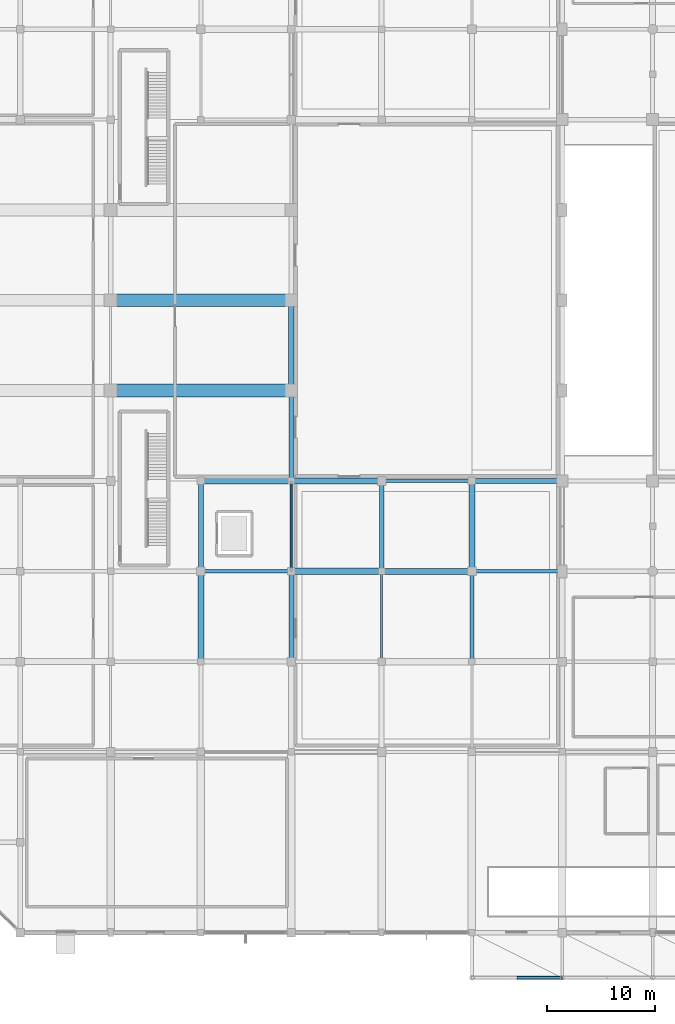
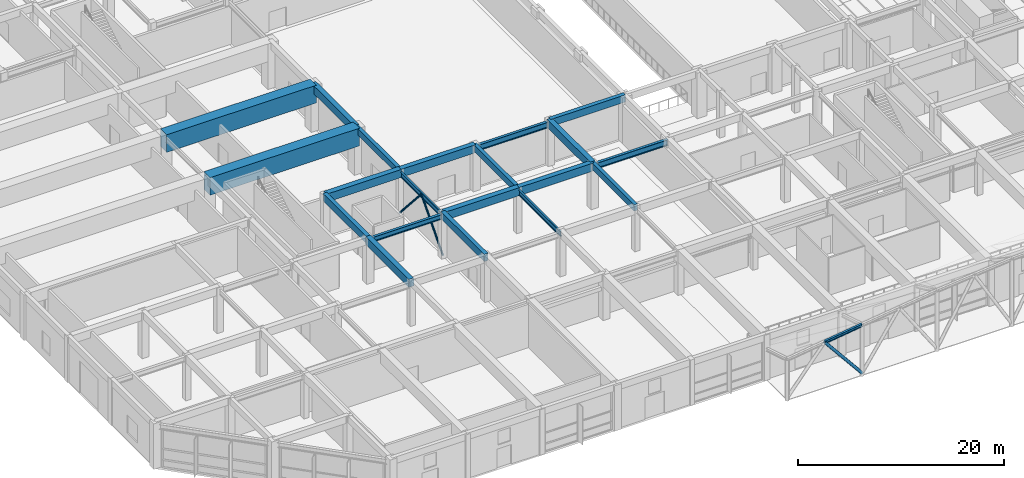
# One storey, part 14 of 62: 20 beams, 4 members.
"""IFC4 building model written with IfcOpenShell, lengths in metres."""

from ifc_helpers import new_model, si_unit, direction, frame, origin, origin_2d, place, context, subcontext, project, spatial, rectangle, hollow_circle, i_section, extrude, material, material_profile, profile_set, type_object, element, save


model = new_model("IFC4")

# Units and contexts
model_context = context("Model", 3, precision=1e-05, world=origin(), true_north=direction((0.0, 1.0)))
body_context = subcontext(model_context, "Body", "Model", "MODEL_VIEW")
ifc_project = project(units=[si_unit("LENGTHUNIT", "METRE"), si_unit("AREAUNIT", "SQUARE_METRE"), si_unit("VOLUMEUNIT", "CUBIC_METRE"), si_unit("PLANEANGLEUNIT", "RADIAN"), si_unit("MASSUNIT", "GRAM", prefix="KILO")], contexts=[model_context])

# Site, building, storey
site_placement = place(None, origin())
site = spatial("IfcSite", under=ifc_project, at=site_placement, CompositionType="ELEMENT")
building_placement = place(site_placement, origin())
building = spatial("IfcBuilding", under=site, at=building_placement, Name="Xuanlan Plaza Opera House", CompositionType="ELEMENT")
storey_placement = place(building_placement, origin())
storey = spatial("IfcBuildingStorey", under=building, at=storey_placement, Name="L00", CompositionType="ELEMENT", Elevation=0.0)

# Beams
ifc_material_1 = material(Name="Concrete C50", Category="concrete")
ifc_material_profile_1 = material_profile(ifc_material_1, rectangle(XDim=0.60009765625, YDim=0.949951171875, at=origin_2d()), Name="RC-BM 600x950")
ifc_profile_set_1 = profile_set([ifc_material_profile_1], Name="Concrete C50")
beam_type_1 = type_object("IfcBeamType", Name="STR-BM-B-01", PredefinedType="BEAM", material=ifc_profile_set_1)
for number, where, z_axis, x_axis, name in (
    (1, (42.0, 33.60009765625, 4.925048828125), (1.0, 0.0, 0.0), (0.0, 1.0, 0.0), "Grid Beam X L00 6-7/E"),
    (2, (33.60009765625, 42.0, 4.925048828125), (1.0, 0.0, 0.0), (0.0, 1.0, 0.0), "Grid Beam X L00 5-6/F"),
):
    element("IfcBeam", number, at=place(storey_placement, frame(where, z_axis=z_axis, x_axis=x_axis)), inside=storey, type_object=beam_type_1, Name=name, PredefinedType="BEAM", context=body_context, shape_type="SweptSolid", body=[
        extrude(rectangle(XDim=0.60009765625, YDim=0.949951171875, at=origin_2d()), origin(), (0.0, 0.0, 1.0), 8.39990234375),
    ])
ifc_material_profile_2 = material_profile(ifc_material_1, rectangle(XDim=0.550048828125, YDim=0.949951171875, at=origin_2d()), Name="RC-BM 550x950")
ifc_profile_set_2 = profile_set([ifc_material_profile_2], Name="Concrete C50")
beam_type_2 = type_object("IfcBeamType", Name="STR-BM-B-02", PredefinedType="BEAM", material=ifc_profile_set_2)
beam_1_placement = place(storey_placement, frame((50.39990234375, 33.60009765625, 4.925048828125), z_axis=(1.0, 0.0, 0.0), x_axis=(0.0, 1.0, 0.0)))
element("IfcBeam", 3, at=beam_1_placement, inside=storey, type_object=beam_type_2, Name="Grid Beam X L00 7-8/E", PredefinedType="BEAM", context=body_context, shape_type="SweptSolid", body=[
    extrude(rectangle(XDim=0.550048828125, YDim=0.949951171875, at=origin_2d()), origin(), (0.0, 0.0, 1.0), 8.400146484375),
])
beam_2_placement = place(storey_placement, frame((42.0, 42.0, 4.925048828125), z_axis=(1.0, 0.0, 0.0), x_axis=(0.0, 1.0, 0.0)))
element("IfcBeam", 4, at=beam_2_placement, inside=storey, type_object=beam_type_2, Name="Grid Beam X L00 6-7/F", PredefinedType="BEAM", context=body_context, shape_type="SweptSolid", body=[
    extrude(rectangle(XDim=0.550048828125, YDim=0.949951171875, at=origin_2d()), origin(), (0.0, 0.0, 1.0), 8.39990234375),
])
for number, where, z_axis, x_axis, name in (
    (5, (33.60009765625, 25.199951171875, 4.925048828125), (0.0, 1.0, 0.0), (-1.0, 0.0, 0.0), "Grid Beam Y L00 5/D-E"),
    (6, (42.0, 50.39990234375, 4.925048828125), (0.0, 1.0, 0.0), (-1.0, 0.0, 0.0), "Grid Beam Y L00 6/G-H"),
):
    element("IfcBeam", number, at=place(storey_placement, frame(where, z_axis=z_axis, x_axis=x_axis)), inside=storey, type_object=beam_type_2, Name=name, PredefinedType="BEAM", context=body_context, shape_type="SweptSolid", body=[
        extrude(rectangle(XDim=0.550048828125, YDim=0.949951171875, at=origin_2d()), origin(), (0.0, 0.0, 1.0), 8.400146484375),
    ])
beam_3_placement = place(storey_placement, frame((58.800048828125, 33.60009765625, 4.925048828125), z_axis=(0.0, 1.0, 0.0), x_axis=(-1.0, 0.0, 0.0)))
element("IfcBeam", 7, at=beam_3_placement, inside=storey, type_object=beam_type_2, Name="Grid Beam Y L00 8/E-F", PredefinedType="BEAM", context=body_context, shape_type="SweptSolid", body=[
    extrude(rectangle(XDim=0.550048828125, YDim=0.949951171875, at=origin_2d()), origin(), (0.0, 0.0, 1.0), 8.39990234375),
])
ifc_material_2 = material(Name="Concrete C40", Category="concrete")
ifc_material_profile_3 = material_profile(ifc_material_2, rectangle(XDim=0.449951171875, YDim=0.85009765625, at=origin_2d()), Name="RC-BM 450x850")
ifc_profile_set_3 = profile_set([ifc_material_profile_3], Name="Concrete C40")
beam_type_3 = type_object("IfcBeamType", Name="STR-BM-B-04", PredefinedType="BEAM", material=ifc_profile_set_3)
for number, where, z_axis, x_axis, name in (
    (8, (58.800048828125, 42.0, 4.97509765625), (1.0, 0.0, 0.0), (0.0, 1.0, 0.0), "Grid Beam X L00 8-9/F"),
    (9, (33.60009765625, 33.60009765625, 4.97509765625), (0.0, 1.0, 0.0), (-1.0, 0.0, 0.0), "Grid Beam Y L00 5/E-F"),
):
    element("IfcBeam", number, at=place(storey_placement, frame(where, z_axis=z_axis, x_axis=x_axis)), inside=storey, type_object=beam_type_3, Name=name, PredefinedType="BEAM", context=body_context, shape_type="SweptSolid", body=[
        extrude(rectangle(XDim=0.449951171875, YDim=0.85009765625, at=origin_2d()), origin(), (0.0, 0.0, 1.0), 8.39990234375),
    ])
beam_4_placement = place(storey_placement, frame((42.0, 25.199951171875, 4.97509765625), z_axis=(0.0, 1.0, 0.0), x_axis=(-1.0, 0.0, 0.0)))
element("IfcBeam", 10, at=beam_4_placement, inside=storey, type_object=beam_type_3, Name="Grid Beam Y L00 6/D-E", PredefinedType="BEAM", context=body_context, shape_type="SweptSolid", body=[
    extrude(rectangle(XDim=0.449951171875, YDim=0.85009765625, at=origin_2d()), origin(), (0.0, 0.0, 1.0), 8.400146484375),
])
ifc_material_profile_4 = material_profile(ifc_material_2, rectangle(XDim=0.39990234375, YDim=0.75, at=origin_2d()), Name="RC-BM 400x750")
ifc_profile_set_4 = profile_set([ifc_material_profile_4], Name="Concrete C40")
beam_type_4 = type_object("IfcBeamType", Name="STR-BM-B-06", PredefinedType="BEAM", material=ifc_profile_set_4)
for number, where, z_axis, x_axis, name in (
    (11, (42.0, 42.0, 5.02490234375), (0.0, 1.0, 0.0), (-1.0, 0.0, 0.0), "Grid Beam Y L00 6/F-G"),
    (12, (50.39990234375, 33.60009765625, 5.02490234375), (0.0, 1.0, 0.0), (-1.0, 0.0, 0.0), "Grid Beam Y L00 7/E-F"),
):
    element("IfcBeam", number, at=place(storey_placement, frame(where, z_axis=z_axis, x_axis=x_axis)), inside=storey, type_object=beam_type_4, Name=name, PredefinedType="BEAM", context=body_context, shape_type="SweptSolid", body=[
        extrude(rectangle(XDim=0.39990234375, YDim=0.75, at=origin_2d()), origin(), (0.0, 0.0, 1.0), 8.39990234375),
    ])
beam_5_placement = place(storey_placement, frame((58.800048828125, 25.199951171875, 5.02490234375), z_axis=(0.0, 1.0, 0.0), x_axis=(-1.0, 0.0, 0.0)))
element("IfcBeam", 13, at=beam_5_placement, inside=storey, type_object=beam_type_4, Name="Grid Beam Y L00 8/D-E", PredefinedType="BEAM", context=body_context, shape_type="SweptSolid", body=[
    extrude(rectangle(XDim=0.39990234375, YDim=0.75, at=origin_2d()), origin(), (0.0, 0.0, 1.0), 8.400146484375),
])
ifc_material_3 = material(Name="Steel Q355B", Category="steel")
ifc_material_profile_5 = material_profile(ifc_material_3, i_section(OverallWidth=0.300048828125, OverallDepth=0.699951171875, WebThickness=0.012939453125, FlangeThickness=0.02392578125, FilletRadius=0.02392578125, at=origin_2d()), Name="HN 700x300x13x24")
ifc_profile_set_5 = profile_set([ifc_material_profile_5], Name="Steel Q355B")
beam_type_5 = type_object("IfcBeamType", Name="STR-BM-SB-03", PredefinedType="BEAM", material=ifc_profile_set_5)
beam_6_placement = place(storey_placement, frame((58.800048828125, 33.60009765625, 4.784912109375), z_axis=(1.0, 0.0, 0.0), x_axis=(0.0, 1.0, 0.0)))
element("IfcBeam", 14, at=beam_6_placement, inside=storey, type_object=beam_type_5, Name="Grid Beam X L00 8-9/E", PredefinedType="BEAM", context=body_context, shape_type="SweptSolid", body=[
    extrude(i_section(OverallWidth=0.300048828125, OverallDepth=0.699951171875, WebThickness=0.012939453125, FlangeThickness=0.02392578125, FilletRadius=0.02392578125, at=origin_2d()), origin(), (0.0, 0.0, 1.0), 8.39990234375),
])
beam_7_placement = place(storey_placement, frame((50.39990234375, 42.0, 4.784912109375), z_axis=(1.0, 0.0, 0.0), x_axis=(0.0, 1.0, 0.0)))
element("IfcBeam", 15, at=beam_7_placement, inside=storey, type_object=beam_type_5, Name="Grid Beam X L00 7-8/F", PredefinedType="BEAM", context=body_context, shape_type="SweptSolid", body=[
    extrude(i_section(OverallWidth=0.300048828125, OverallDepth=0.699951171875, WebThickness=0.012939453125, FlangeThickness=0.02392578125, FilletRadius=0.02392578125, at=origin_2d()), origin(), (0.0, 0.0, 1.0), 8.400146484375),
])
ifc_material_profile_6 = material_profile(ifc_material_3, i_section(OverallWidth=0.199951171875, OverallDepth=0.60009765625, WebThickness=0.010986328125, FlangeThickness=0.01708984375, FilletRadius=0.02197265625, at=origin_2d()), Name="HN 600x200x11x17")
ifc_profile_set_6 = profile_set([ifc_material_profile_6], Name="Steel Q355B")
beam_type_6 = type_object("IfcBeamType", Name="STR-BM-SB-04", PredefinedType="BEAM", material=ifc_profile_set_6)
beam_8_placement = place(storey_placement, frame((42.0, 33.60009765625, 4.8349609375), z_axis=(0.0, 1.0, 0.0), x_axis=(-1.0, 0.0, 0.0)))
element("IfcBeam", 16, at=beam_8_placement, inside=storey, type_object=beam_type_6, Name="Grid Beam Y L00 6/E-F", PredefinedType="BEAM", context=body_context, shape_type="SweptSolid", body=[
    extrude(i_section(OverallWidth=0.199951171875, OverallDepth=0.60009765625, WebThickness=0.010986328125, FlangeThickness=0.01708984375, FilletRadius=0.02197265625, at=origin_2d()), origin(), (0.0, 0.0, 1.0), 8.39990234375),
])
beam_9_placement = place(storey_placement, frame((50.39990234375, 25.199951171875, 4.8349609375), z_axis=(0.0, 1.0, 0.0), x_axis=(-1.0, 0.0, 0.0)))
element("IfcBeam", 17, at=beam_9_placement, inside=storey, type_object=beam_type_6, Name="Grid Beam Y L00 7/D-E", PredefinedType="BEAM", context=body_context, shape_type="SweptSolid", body=[
    extrude(i_section(OverallWidth=0.199951171875, OverallDepth=0.60009765625, WebThickness=0.010986328125, FlangeThickness=0.01708984375, FilletRadius=0.02197265625, at=origin_2d()), origin(), (0.0, 0.0, 1.0), 8.400146484375),
])
ifc_material_profile_7 = material_profile(ifc_material_3, i_section(OverallWidth=0.300048828125, OverallDepth=0.587890625, WebThickness=0.011962890625, FlangeThickness=0.02001953125, FilletRadius=0.02392578125, at=origin_2d()), Name="HM 588x300x12x20")
ifc_profile_set_7 = profile_set([ifc_material_profile_7], Name="Steel Q355B")
beam_type_7 = type_object("IfcBeamType", Name="STR-BM-SB-06", PredefinedType="BEAM", material=ifc_profile_set_7)
beam_10_placement = place(storey_placement, frame((33.60009765625, 33.60009765625, 4.841064453125), z_axis=(1.0, 0.0, 0.0), x_axis=(0.0, 1.0, 0.0)))
element("IfcBeam", 18, at=beam_10_placement, inside=storey, type_object=beam_type_7, Name="Grid Beam X L00 5-6/E", PredefinedType="BEAM", context=body_context, shape_type="SweptSolid", body=[
    extrude(i_section(OverallWidth=0.300048828125, OverallDepth=0.587890625, WebThickness=0.011962890625, FlangeThickness=0.02001953125, FilletRadius=0.02392578125, at=origin_2d()), origin(), (0.0, 0.0, 1.0), 8.39990234375),
])
ifc_material_4 = material(Name="Concrete C60", Category="concrete")
ifc_material_profile_8 = material_profile(ifc_material_4, rectangle(XDim=1.199951171875, YDim=2.10009765625, at=origin_2d()), Name="RC-TG 1200x2100")
ifc_profile_set_8 = profile_set([ifc_material_profile_8], Name="Concrete C60")
beam_type_8 = type_object("IfcBeamType", Name="STR-BM-TG-03", PredefinedType="BEAM", material=ifc_profile_set_8)
for number, where, z_axis, x_axis, name in (
    (19, (25.199951171875, 50.39990234375, 4.35009765625), (1.0, 0.0, 0.0), (0.0, 1.0, 0.0), "Grid Beam X L00 4-6/G"),
    (20, (25.199951171875, 58.800048828125, 4.35009765625), (1.0, 0.0, 0.0), (0.0, 1.0, 0.0), "Grid Beam X L00 4-6/H"),
):
    element("IfcBeam", number, at=place(storey_placement, frame(where, z_axis=z_axis, x_axis=x_axis)), inside=storey, type_object=beam_type_8, Name=name, PredefinedType="BEAM", context=body_context, shape_type="SweptSolid", body=[
        extrude(rectangle(XDim=1.199951171875, YDim=2.10009765625, at=origin_2d()), origin(), (0.0, 0.0, 1.0), 16.800048828125),
    ])

# Members
ifc_material_profile_9 = material_profile(ifc_material_3, hollow_circle(Radius=0.161865234375, WallThickness=0.013916015625, at=origin_2d()), Name="CHS 323.9x14")
ifc_profile_set_9 = profile_set([ifc_material_profile_9], Name="Steel Q355B")
member_type_1 = type_object("IfcMemberType", Name="STR-MEM-BR-03", PredefinedType="BRACE", material=ifc_profile_set_9)
member_1_placement = place(storey_placement, frame((67.199951171875, -4.199951171875, 0.280029296875), z_axis=(-0.633109520171, 0.0, 0.774062229713), x_axis=(0.0, -1.0, 0.0)))
element("IfcMember", 21, at=member_1_placement, inside=storey, type_object=member_type_1, Name="Plaza Canopy V-Strut 01R", PredefinedType="BRACE", context=body_context, shape_type="SweptSolid", body=[
    extrude(hollow_circle(Radius=0.161865234375, WallThickness=0.013916015625, at=origin_2d()), origin(), (0.0, 0.0, 1.0), 6.6337890625),
])
ifc_material_profile_10 = material_profile(ifc_material_3, hollow_circle(Radius=0.109619140625, WallThickness=0.010009765625, at=origin_2d()), Name="CHS 219.1x10")
ifc_profile_set_10 = profile_set([ifc_material_profile_10], Name="Steel Q355B")
member_type_2 = type_object("IfcMemberType", Name="STR-MEM-BR-05", PredefinedType="BRACE", material=ifc_profile_set_10)
for number, where, z_axis, x_axis, name in (
    (22, (42.0, 33.60009765625, 0.10009765625), (0.0, 0.662399393998, 0.749150881219), (-1.0, 0.0, 0.0), "Stage Lateral Chevron Brace L00-0A"),
    (23, (42.0, 42.0, 0.10009765625), (0.0, -0.662399393998, 0.749150881219), (1.0, 0.0, 0.0), "Stage Lateral Chevron Brace L00-0B"),
):
    element("IfcMember", number, at=place(storey_placement, frame(where, z_axis=z_axis, x_axis=x_axis)), inside=storey, type_object=member_type_2, Name=name, PredefinedType="BRACE", context=body_context, shape_type="SweptSolid", body=[
        extrude(hollow_circle(Radius=0.109619140625, WallThickness=0.010009765625, at=origin_2d()), origin(), (0.0, 0.0, 1.0), 6.340576171875),
    ])
ifc_material_profile_11 = material_profile(ifc_material_3, i_section(OverallWidth=0.25, OverallDepth=0.340087890625, WebThickness=0.009033203125, FlangeThickness=0.013916015625, FilletRadius=0.01611328125, at=origin_2d()), Name="HM 340x250x9x14")
ifc_profile_set_11 = profile_set([ifc_material_profile_11], Name="Steel Q355B")
member_type_3 = type_object("IfcMemberType", Name="STR-MEM-TC-01", PredefinedType="CHORD", material=ifc_profile_set_11)
member_2_placement = place(storey_placement, frame((63.0, -4.199951171875, 5.4150390625), z_axis=(0.990759590927, 0.0, 0.13562976438), x_axis=(0.0, 1.0, 0.0)))
element("IfcMember", 24, at=member_2_placement, inside=storey, type_object=member_type_3, Name="Plaza Canopy Arched Prow Chord 01B", PredefinedType="CHORD", context=body_context, shape_type="SweptSolid", body=[
    extrude(i_section(OverallWidth=0.25, OverallDepth=0.340087890625, WebThickness=0.009033203125, FlangeThickness=0.013916015625, FilletRadius=0.01611328125, at=origin_2d()), origin(), (0.0, 0.0, 1.0), 4.239013671875),
])

save(model, "model.ifc")
